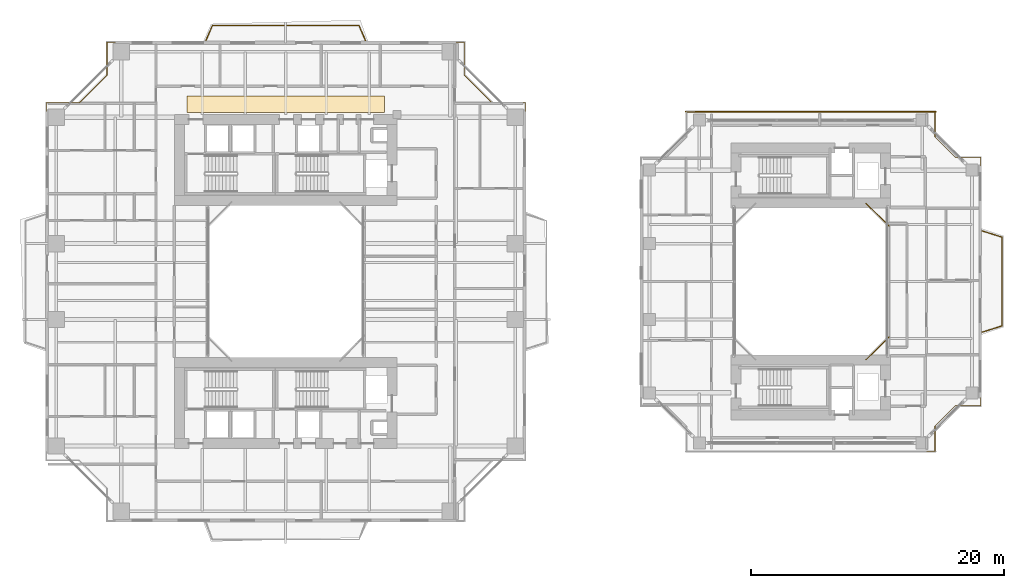
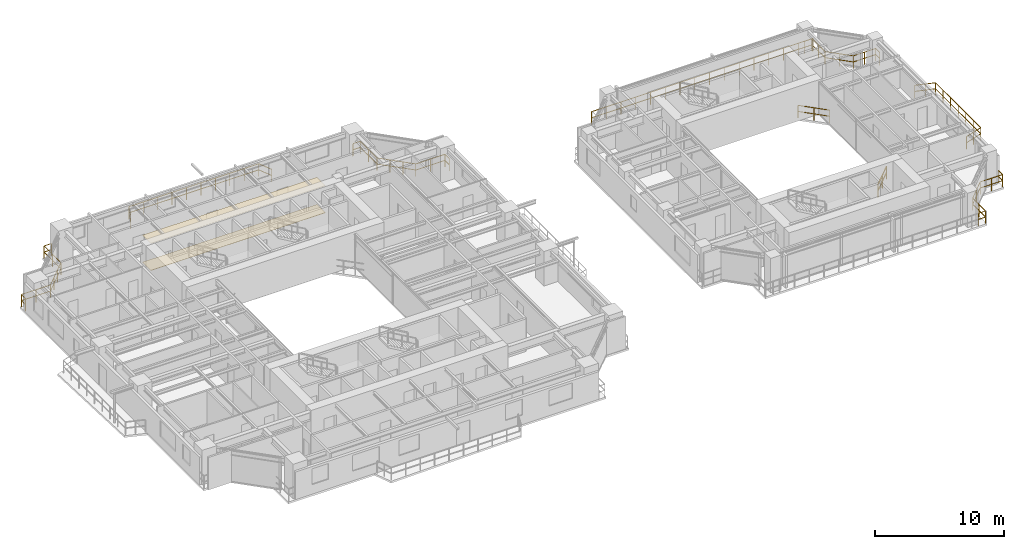
# One storey, part 23 of 23: 9 railings, 2 coverings.
"""IFC4 building model written with IfcOpenShell, lengths in metres."""

import ifcopenshell
import ifcopenshell.guid

model = None  # the IFC model being written
_history = None  # IfcOwnerHistory: only IFC2X3 demands one
_inside = {}  # id of a spatial element -> (the spatial element, [elements in it])
_under = {}  # id of a project, library or spatial element -> (it, [spatial elements below it])
_declared = {}  # id of a project -> (the project, [libraries it declares])
_typed = {}  # id of a type object -> (the type object, [elements of that type])
_made_of = {}  # id of a material, layer set ... -> (it, [elements and type objects made of it])


def new_model(schema):
    """Start an empty IFC model of exactly this schema.

    Asked for "IFC4X3", IfcOpenShell would pick the latest addendum, in which some entities
    have other attributes; the version numbers below select the first issue.
    IFC2X3 requires an IfcOwnerHistory on every rooted entity: one is made here for all.
    """
    global model, _history
    if schema == "IFC4X3":
        model = ifcopenshell.file(schema_version=(4, 3, 0, 0))
    else:
        model = ifcopenshell.file(schema=schema)
    _inside.clear()
    _under.clear()
    _declared.clear()
    _typed.clear()
    _made_of.clear()
    _history = None
    if model.schema == "IFC2X3":
        org = make("IfcOrganization", Name="unknown")
        user = make(
            "IfcPersonAndOrganization",
            ThePerson=make("IfcPerson", FamilyName="unknown"),
            TheOrganization=org,
        )
        app = make(
            "IfcApplication",
            ApplicationDeveloper=org,
            Version="unknown",
            ApplicationFullName="unknown",
            ApplicationIdentifier="unknown",
        )
        _history = make(
            "IfcOwnerHistory",
            OwningUser=user,
            OwningApplication=app,
            ChangeAction="ADDED",
            CreationDate=0,
        )
    return model


def make(cls, **values):
    """One entity of the class cls with the attributes given. An attribute that is None is left unset."""
    return model.create_entity(
        cls, **{name: value for name, value in values.items() if value is not None}
    )


def rooted(cls, **values):
    """An entity with a GlobalId (a new one), such as an element, a storey or a relation."""
    return make(cls, GlobalId=ifcopenshell.guid.new(), OwnerHistory=_history, **values)


def si_unit(unit_type, name, prefix=None):
    """IfcSIUnit, for example si_unit("LENGTHUNIT", "METRE", prefix="MILLI")."""
    return make("IfcSIUnit", UnitType=unit_type, Prefix=prefix, Name=name)


def assignment(units):
    """IfcUnitAssignment: the units of a project."""
    return None if units is None else make("IfcUnitAssignment", Units=units)


def point(xyz):
    """IfcCartesianPoint."""
    return None if xyz is None else make("IfcCartesianPoint", Coordinates=xyz)


def direction(xyz):
    """IfcDirection."""
    return None if xyz is None else make("IfcDirection", DirectionRatios=xyz)


def frame(location, z_axis=None, x_axis=None):
    """IfcAxis2Placement3D, a coordinate frame: its origin and axes. An axis left out is left unset."""
    return make(
        "IfcAxis2Placement3D",
        Location=point(location),
        Axis=direction(z_axis),
        RefDirection=direction(x_axis),
    )


def frame_2d(location, x_axis=None):
    """IfcAxis2Placement2D, a coordinate frame in the plane: its origin and x axis."""
    return make(
        "IfcAxis2Placement2D", Location=point(location), RefDirection=direction(x_axis)
    )


def origin():
    """The frame at (0, 0, 0) with its axes left unset."""
    return frame((0.0, 0.0, 0.0))


def origin_2d():
    """The frame at (0, 0) in the plane with its x axis left unset."""
    return frame_2d((0.0, 0.0))


def place(relative_to, where):
    """IfcLocalPlacement: puts the frame where relative to a parent placement (None: the world)."""
    return make(
        "IfcLocalPlacement", PlacementRelTo=relative_to, RelativePlacement=where
    )


def context(
    kind, dimensions, precision=None, world=None, true_north=None, identifier=None
):
    """IfcGeometricRepresentationContext, for example the 3D "Model" context."""
    return make(
        "IfcGeometricRepresentationContext",
        ContextIdentifier=identifier,
        ContextType=kind,
        CoordinateSpaceDimension=dimensions,
        Precision=precision,
        WorldCoordinateSystem=world,
        TrueNorth=true_north,
    )


def subcontext(parent, identifier, kind, view, scale=None):
    """IfcGeometricRepresentationSubContext, for example "Body" below "Model"."""
    return make(
        "IfcGeometricRepresentationSubContext",
        ContextIdentifier=identifier,
        ContextType=kind,
        ParentContext=parent,
        TargetScale=scale,
        TargetView=view,
    )


def project(units=None, contexts=None):
    """IfcProject with its units and contexts."""
    return rooted(
        "IfcProject",
        Name="project",
        RepresentationContexts=contexts,
        UnitsInContext=assignment(units),
    )


def spatial(cls, under=None, at=None, **own):
    """A site, building, storey or space (cls), placed at a placement, below another one or the project."""
    s = rooted(cls, ObjectPlacement=at, **own)
    if under is not None:
        _under.setdefault(under.id(), (under, []))[1].append(s)
    return s


def polyline(points):
    """IfcPolyline through the points."""
    return make("IfcPolyline", Points=[point(p) for p in points])


def profile(cls, at=None, kind="AREA", **sizes):
    """A parametric profile (cls). Its sizes go by their IFC names, for example OverallWidth=200.0."""
    return make(cls, ProfileType=kind, Position=at, **sizes)


def rectangle(**sizes):
    """IfcRectangleProfileDef."""
    return profile("IfcRectangleProfileDef", **sizes)


def outline(outer, holes=None, kind="AREA"):
    """IfcArbitraryClosedProfileDef: a profile drawn as a closed curve; with holes, ...WithVoids."""
    if holes is None:
        return make("IfcArbitraryClosedProfileDef", ProfileType=kind, OuterCurve=outer)
    return make(
        "IfcArbitraryProfileDefWithVoids",
        ProfileType=kind,
        OuterCurve=outer,
        InnerCurves=holes,
    )


def extrude(swept, where, along, depth):
    """IfcExtrudedAreaSolid: the profile swept, set in the frame where, extruded along a direction by depth."""
    return make(
        "IfcExtrudedAreaSolid",
        SweptArea=swept,
        Position=where,
        ExtrudedDirection=direction(along),
        Depth=depth,
    )


def shape(context_of_items, identifier, shape_type, items):
    """IfcShapeRepresentation: the items that make up one representation, for example the "Body"."""
    return make(
        "IfcShapeRepresentation",
        ContextOfItems=context_of_items,
        RepresentationIdentifier=identifier,
        RepresentationType=shape_type,
        Items=items,
    )


def material(Name=None, Category=None):
    """IfcMaterial."""
    return make("IfcMaterial", Name=Name, Category=Category)


def layer(
    of_material, thickness, ventilated=None, Name=None, Category=None, Priority=None
):
    """IfcMaterialLayer: one layer of a wall or slab, of a material (None: an air gap)."""
    return make(
        "IfcMaterialLayer",
        Material=of_material,
        LayerThickness=thickness,
        IsVentilated=ventilated,
        Name=Name,
        Category=Category,
        Priority=Priority,
    )


def layer_set(layers, Name=None):
    """IfcMaterialLayerSet."""
    return make("IfcMaterialLayerSet", MaterialLayers=layers, LayerSetName=Name)


def made_of(thing, what):
    """Note that an element or type object is made of a material, layer set ...; save() writes the relation."""
    if what is not None:
        _made_of.setdefault(what.id(), (what, []))[1].append(thing)
    return thing


def type_object(cls, material=None, **own):
    """A type object (cls), such as IfcWallType, which elements share."""
    return made_of(rooted(cls, **own), material)


def element(
    cls,
    number,
    at=None,
    inside=None,
    cuts=None,
    type_object=None,
    material=None,
    context=None,
    identifier="Body",
    shape_type=None,
    held_by="IfcProductDefinitionShape",
    body=None,
    shapes=None,
    **own,
):
    """One element of the class cls, such as IfcWall. Its Tag is "e" and its number.

    at: its placement. inside: the storey or other place that contains it. cuts: it is an
    opening in that element (IfcRelVoidsElement). A single representation is given by context,
    identifier, shape_type and body (its items); several are given by shapes. held_by: the class
    of the entity that holds the representations. save() writes the other relations.
    """
    e = rooted(cls, Tag="e%d" % number, ObjectPlacement=at, **own)
    if body is not None:
        shapes = [shape(context, identifier, shape_type, body)]
    if shapes is not None:
        e.Representation = make(held_by, Representations=shapes)
    if inside is not None:
        _inside.setdefault(inside.id(), (inside, []))[1].append(e)
    if cuts is not None:
        rooted(
            "IfcRelVoidsElement", RelatingBuildingElement=cuts, RelatedOpeningElement=e
        )
    if type_object is not None:
        _typed.setdefault(type_object.id(), (type_object, []))[1].append(e)
    return made_of(e, material)


def aggregate(whole, parts):
    """IfcRelAggregates: a whole, such as a stair, and the parts it consists of."""
    return rooted("IfcRelAggregates", RelatingObject=whole, RelatedObjects=parts)


def save(model, path):
    """Write the relations noted so far, then the file.

    IfcRelAggregates (storeys below a building ...), IfcRelContainedInSpatialStructure (elements
    in a storey), IfcRelDefinesByType, IfcRelAssociatesMaterial and IfcRelDeclares: one each for
    every whole, place, type object, material and project.
    """
    for whole, parts in _under.values():
        aggregate(whole, parts)
    for where, things in _inside.values():
        rooted(
            "IfcRelContainedInSpatialStructure",
            RelatedElements=things,
            RelatingStructure=where,
        )
    for kind, things in _typed.values():
        rooted("IfcRelDefinesByType", RelatedObjects=things, RelatingType=kind)
    for what, things in _made_of.values():
        rooted("IfcRelAssociatesMaterial", RelatedObjects=things, RelatingMaterial=what)
    for by, libraries in _declared.values():
        rooted("IfcRelDeclares", RelatingContext=by, RelatedDefinitions=libraries)
    model.write(path)


model = new_model("IFC4")

# Units and contexts
model_context = context("Model", 3, precision=1e-05, world=origin(), true_north=direction((0.0, 1.0)))
body_context = subcontext(model_context, "Body", "Model", "MODEL_VIEW")
ifc_project = project(units=[si_unit("LENGTHUNIT", "METRE"), si_unit("AREAUNIT", "SQUARE_METRE"), si_unit("VOLUMEUNIT", "CUBIC_METRE"), si_unit("PLANEANGLEUNIT", "RADIAN"), si_unit("MASSUNIT", "GRAM", prefix="KILO"), si_unit("THERMODYNAMICTEMPERATUREUNIT", "KELVIN"), si_unit("POWERUNIT", "WATT")], contexts=[model_context])

# Site, building, storey
site_placement = place(None, origin())
site = spatial("IfcSite", under=ifc_project, at=site_placement, CompositionType="ELEMENT")
building_placement = place(site_placement, origin())
building = spatial("IfcBuilding", under=site, at=building_placement, Name="Qiaomeng Ring Towers", CompositionType="ELEMENT")
storey_placement = place(building_placement, frame((0.0, 0.0, 60.0)))
storey = spatial("IfcBuildingStorey", under=building, at=storey_placement, Name="L16", CompositionType="ELEMENT", Elevation=60.0)

# Coverings
ifc_material_1 = material(Name="Mineral fibre acoustic ceiling tile", Category="gypsum")
ifc_layer_1 = layer(ifc_material_1, 0.02490234375, Name="Mineral fibre acoustic ceiling tile")
ifc_layer_set_1 = layer_set([ifc_layer_1], Name="Mineral fibre acoustic ceiling tile")
covering_type_1 = type_object("IfcCoveringType", Name="ARC-COV-CEIL1", PredefinedType="CEILING", material=ifc_layer_set_1)
covering_1_placement = place(storey_placement, frame((0.0, 0.0, 2.550048828125)))
element("IfcCovering", 1, at=covering_1_placement, inside=storey, type_object=covering_type_1, Name="L16 Corridor Acoustic Ceiling", PredefinedType="CEILING", context=body_context, shape_type="SweptSolid", body=[
    extrude(outline(polyline([(11.199951171875, 36.35009765625), (11.199951171875, 37.64990234375), (26.800048828125, 37.64990234375), (26.800048828125, 36.35009765625), (11.199951171875, 36.35009765625)])), origin(), (0.0, 0.0, 1.0), 0.02490234375),
])
ifc_material_2 = material(Name="Vitrified porcelain floor tile", Category="ceramic")
ifc_layer_2 = layer(ifc_material_2, 0.02001953125, Name="Vitrified porcelain floor tile")
ifc_layer_set_2 = layer_set([ifc_layer_2], Name="Vitrified porcelain floor tile")
covering_type_2 = type_object("IfcCoveringType", Name="ARC-COV-FLR1", PredefinedType="FLOORING", material=ifc_layer_set_2)
covering_2_placement = place(storey_placement, origin())
element("IfcCovering", 2, at=covering_2_placement, inside=storey, type_object=covering_type_2, Name="L16 Corridor Stone Flooring", PredefinedType="FLOORING", context=body_context, shape_type="SweptSolid", body=[
    extrude(outline(polyline([(11.199951171875, 36.35009765625), (11.199951171875, 37.64990234375), (26.800048828125, 37.64990234375), (26.800048828125, 36.35009765625), (11.199951171875, 36.35009765625)])), origin(), (0.0, 0.0, 1.0), 0.02001953125),
])

# Railings
ifc_material_3 = material(Name="Low-E pale-green laminated safety glass", Category="glass")
railing_type = type_object("IfcRailingType", Name="ARC-RL-BAL1", PredefinedType="BALUSTRADE", material=ifc_material_3)
railing_1_placement = place(storey_placement, frame((37.919921875, 36.469970703125, 0.0)))
element("IfcRailing", 3, at=railing_1_placement, inside=storey, type_object=railing_type, Name="L16 Balustrade ARC-BAL-NOTCH1-L16-NE", PredefinedType="BALUSTRADE", context=body_context, shape_type="SweptSolid", body=[
    extrude(rectangle(XDim=0.048095703125, YDim=0.048095703125, at=origin_2d()), frame((0.0, 0.0, 1.17578125), z_axis=(0.0, 1.0, 0.0), x_axis=(-1.0, 0.0, 0.0)), (0.0, 0.0, 1.0), 0.650146484375),
    extrude(rectangle(XDim=0.048095703125, YDim=0.048095703125, at=origin_2d()), frame((0.0, 0.0, 0.60009765625), z_axis=(0.0, 1.0, 0.0), x_axis=(-1.0, 0.0, 0.0)), (0.0, 0.0, 1.0), 0.650146484375),
    extrude(rectangle(XDim=0.048095703125, YDim=0.048095703125, at=origin_2d()), frame((0.0, 0.650146484375, 1.17578125), z_axis=(-1.0, 0.0, 0.0), x_axis=(0.0, -1.0, 0.0)), (0.0, 0.0, 1.0), 2.599853515625),
    extrude(rectangle(XDim=0.048095703125, YDim=0.048095703125, at=origin_2d()), frame((0.0, 0.650146484375, 0.60009765625), z_axis=(-1.0, 0.0, 0.0), x_axis=(0.0, -1.0, 0.0)), (0.0, 0.0, 1.0), 2.599853515625),
    extrude(rectangle(XDim=0.048095703125, YDim=0.048095703125, at=origin_2d()), frame((-2.599853515625, 0.650146484375, 1.17578125), z_axis=(-0.707106781187, 0.707106781187, 0.0), x_axis=(-0.707106781187, -0.707106781187, 0.0)), (0.0, 0.0, 1.0), 3.111083984375),
    extrude(rectangle(XDim=0.048095703125, YDim=0.048095703125, at=origin_2d()), frame((-2.599853515625, 0.650146484375, 0.60009765625), z_axis=(-0.707106781187, 0.707106781187, 0.0), x_axis=(-0.707106781187, -0.707106781187, 0.0)), (0.0, 0.0, 1.0), 3.111083984375),
    extrude(rectangle(XDim=0.048095703125, YDim=0.048095703125, at=origin_2d()), frame((-4.7998046875, 2.85009765625, 1.17578125), z_axis=(0.0, 1.0, 0.0), x_axis=(-1.0, 0.0, 0.0)), (0.0, 0.0, 1.0), 2.599853515625),
    extrude(rectangle(XDim=0.048095703125, YDim=0.048095703125, at=origin_2d()), frame((-4.7998046875, 2.85009765625, 0.60009765625), z_axis=(0.0, 1.0, 0.0), x_axis=(-1.0, 0.0, 0.0)), (0.0, 0.0, 1.0), 2.599853515625),
    extrude(rectangle(XDim=0.048095703125, YDim=0.048095703125, at=origin_2d()), frame((-4.7998046875, 5.449951171875, 1.17578125), z_axis=(-1.0, 0.0, 0.0), x_axis=(0.0, -1.0, 0.0)), (0.0, 0.0, 1.0), 0.650146484375),
    extrude(rectangle(XDim=0.048095703125, YDim=0.048095703125, at=origin_2d()), frame((-4.7998046875, 5.449951171875, 0.60009765625), z_axis=(-1.0, 0.0, 0.0), x_axis=(0.0, -1.0, 0.0)), (0.0, 0.0, 1.0), 0.650146484375),
    extrude(rectangle(XDim=0.0419921875, YDim=0.0419921875, at=origin_2d()), origin(), (0.0, 0.0, 1.0), 1.15185546875),
    extrude(rectangle(XDim=0.0419921875, YDim=0.0419921875, at=origin_2d()), frame((0.0, 0.650146484375, 0.0)), (0.0, 0.0, 1.0), 1.15185546875),
    extrude(rectangle(XDim=0.0419921875, YDim=0.0419921875, at=origin_2d()), frame((-1.2998046875, 0.650146484375, 0.0)), (0.0, 0.0, 1.0), 1.15185546875),
    extrude(rectangle(XDim=0.0419921875, YDim=0.0419921875, at=origin_2d()), frame((-2.599853515625, 0.650146484375, 0.0)), (0.0, 0.0, 1.0), 1.15185546875),
    extrude(rectangle(XDim=0.0419921875, YDim=0.0419921875, at=origin_2d()), frame((-3.333251953125, 1.383544921875, 0.0)), (0.0, 0.0, 1.0), 1.15185546875),
    extrude(rectangle(XDim=0.0419921875, YDim=0.0419921875, at=origin_2d()), frame((-4.06640625, 2.11669921875, 0.0)), (0.0, 0.0, 1.0), 1.15185546875),
    extrude(rectangle(XDim=0.0419921875, YDim=0.0419921875, at=origin_2d()), frame((-4.7998046875, 2.85009765625, 0.0)), (0.0, 0.0, 1.0), 1.15185546875),
    extrude(rectangle(XDim=0.0419921875, YDim=0.0419921875, at=origin_2d()), frame((-4.7998046875, 4.14990234375, 0.0)), (0.0, 0.0, 1.0), 1.15185546875),
    extrude(rectangle(XDim=0.0419921875, YDim=0.0419921875, at=origin_2d()), frame((-4.7998046875, 5.449951171875, 0.0)), (0.0, 0.0, 1.0), 1.15185546875),
    extrude(rectangle(XDim=0.0419921875, YDim=0.0419921875, at=origin_2d()), frame((-5.449951171875, 5.449951171875, 0.0)), (0.0, 0.0, 1.0), 1.15185546875),
])
railing_2_placement = place(storey_placement, frame((5.530029296875, 41.919921875, 0.0)))
element("IfcRailing", 4, at=railing_2_placement, inside=storey, type_object=railing_type, Name="L16 Balustrade ARC-BAL-NOTCH1-L16-NW", PredefinedType="BALUSTRADE", context=body_context, shape_type="SweptSolid", body=[
    extrude(rectangle(XDim=0.048095703125, YDim=0.048095703125, at=origin_2d()), frame((0.0, 0.0, 1.17578125), z_axis=(-1.0, 0.0, 0.0), x_axis=(0.0, -1.0, 0.0)), (0.0, 0.0, 1.0), 0.650146484375),
    extrude(rectangle(XDim=0.048095703125, YDim=0.048095703125, at=origin_2d()), frame((0.0, 0.0, 0.60009765625), z_axis=(-1.0, 0.0, 0.0), x_axis=(0.0, -1.0, 0.0)), (0.0, 0.0, 1.0), 0.650146484375),
    extrude(rectangle(XDim=0.048095703125, YDim=0.048095703125, at=origin_2d()), frame((-0.650146484375, 0.0, 1.17578125), z_axis=(0.0, -1.0, 0.0), x_axis=(1.0, 0.0, 0.0)), (0.0, 0.0, 1.0), 2.599853515625),
    extrude(rectangle(XDim=0.048095703125, YDim=0.048095703125, at=origin_2d()), frame((-0.650146484375, 0.0, 0.60009765625), z_axis=(0.0, -1.0, 0.0), x_axis=(1.0, 0.0, 0.0)), (0.0, 0.0, 1.0), 2.599853515625),
    extrude(rectangle(XDim=0.048095703125, YDim=0.048095703125, at=origin_2d()), frame((-0.650146484375, -2.599853515625, 1.17578125), z_axis=(-0.707106781187, -0.707106781187, 0.0), x_axis=(0.707106781187, -0.707106781187, 0.0)), (0.0, 0.0, 1.0), 3.111083984375),
    extrude(rectangle(XDim=0.048095703125, YDim=0.048095703125, at=origin_2d()), frame((-0.650146484375, -2.599853515625, 0.60009765625), z_axis=(-0.707106781187, -0.707106781187, 0.0), x_axis=(0.707106781187, -0.707106781187, 0.0)), (0.0, 0.0, 1.0), 3.111083984375),
    extrude(rectangle(XDim=0.048095703125, YDim=0.048095703125, at=origin_2d()), frame((-2.85009765625, -4.7998046875, 1.17578125), z_axis=(-1.0, 0.0, 0.0), x_axis=(0.0, -1.0, 0.0)), (0.0, 0.0, 1.0), 2.599853515625),
    extrude(rectangle(XDim=0.048095703125, YDim=0.048095703125, at=origin_2d()), frame((-2.85009765625, -4.7998046875, 0.60009765625), z_axis=(-1.0, 0.0, 0.0), x_axis=(0.0, -1.0, 0.0)), (0.0, 0.0, 1.0), 2.599853515625),
    extrude(rectangle(XDim=0.048095703125, YDim=0.048095703125, at=origin_2d()), frame((-5.449951171875, -4.7998046875, 1.17578125), z_axis=(0.0, -1.0, 0.0), x_axis=(1.0, 0.0, 0.0)), (0.0, 0.0, 1.0), 0.650146484375),
    extrude(rectangle(XDim=0.048095703125, YDim=0.048095703125, at=origin_2d()), frame((-5.449951171875, -4.7998046875, 0.60009765625), z_axis=(0.0, -1.0, 0.0), x_axis=(1.0, 0.0, 0.0)), (0.0, 0.0, 1.0), 0.650146484375),
    extrude(rectangle(XDim=0.0419921875, YDim=0.0419921875, at=origin_2d()), origin(), (0.0, 0.0, 1.0), 1.15185546875),
    extrude(rectangle(XDim=0.0419921875, YDim=0.0419921875, at=origin_2d()), frame((-0.650146484375, 0.0, 0.0)), (0.0, 0.0, 1.0), 1.15185546875),
    extrude(rectangle(XDim=0.0419921875, YDim=0.0419921875, at=origin_2d()), frame((-0.650146484375, -1.2998046875, 0.0)), (0.0, 0.0, 1.0), 1.15185546875),
    extrude(rectangle(XDim=0.0419921875, YDim=0.0419921875, at=origin_2d()), frame((-0.650146484375, -2.599853515625, 0.0)), (0.0, 0.0, 1.0), 1.15185546875),
    extrude(rectangle(XDim=0.0419921875, YDim=0.0419921875, at=origin_2d()), frame((-1.383544921875, -3.333251953125, 0.0)), (0.0, 0.0, 1.0), 1.15185546875),
    extrude(rectangle(XDim=0.0419921875, YDim=0.0419921875, at=origin_2d()), frame((-2.11669921875, -4.06640625, 0.0)), (0.0, 0.0, 1.0), 1.15185546875),
    extrude(rectangle(XDim=0.0419921875, YDim=0.0419921875, at=origin_2d()), frame((-2.85009765625, -4.7998046875, 0.0)), (0.0, 0.0, 1.0), 1.15185546875),
    extrude(rectangle(XDim=0.0419921875, YDim=0.0419921875, at=origin_2d()), frame((-4.14990234375, -4.7998046875, 0.0)), (0.0, 0.0, 1.0), 1.15185546875),
    extrude(rectangle(XDim=0.0419921875, YDim=0.0419921875, at=origin_2d()), frame((-5.449951171875, -4.7998046875, 0.0)), (0.0, 0.0, 1.0), 1.15185546875),
    extrude(rectangle(XDim=0.0419921875, YDim=0.0419921875, at=origin_2d()), frame((-5.449951171875, -5.449951171875, 0.0)), (0.0, 0.0, 1.0), 1.15185546875),
])
railing_3_placement = place(storey_placement, frame((12.699951171875, 42.050048828125, 0.0)))
element("IfcRailing", 5, at=railing_3_placement, inside=storey, type_object=railing_type, Name="L16 Balustrade ARC-BAL-L16-T1-N", PredefinedType="BALUSTRADE", context=body_context, shape_type="SweptSolid", body=[
    extrude(rectangle(XDim=0.048095703125, YDim=0.048095703125, at=origin_2d()), frame((0.0, 0.0, 1.17578125), z_axis=(0.39299272826, 0.919541579014, 0.0), x_axis=(-0.919541579014, 0.39299272826, 0.0)), (0.0, 0.0, 1.0), 1.272216796875),
    extrude(rectangle(XDim=0.048095703125, YDim=0.048095703125, at=origin_2d()), frame((0.0, 0.0, 0.60009765625), z_axis=(0.39299272826, 0.919541579014, 0.0), x_axis=(-0.919541579014, 0.39299272826, 0.0)), (0.0, 0.0, 1.0), 1.272216796875),
    extrude(rectangle(XDim=0.048095703125, YDim=0.048095703125, at=origin_2d()), frame((0.5, 1.169921875, 1.17578125), z_axis=(1.0, 0.0, 0.0), x_axis=(0.0, 1.0, 0.0)), (0.0, 0.0, 1.0), 11.60009765625),
    extrude(rectangle(XDim=0.048095703125, YDim=0.048095703125, at=origin_2d()), frame((0.5, 1.169921875, 0.60009765625), z_axis=(1.0, 0.0, 0.0), x_axis=(0.0, 1.0, 0.0)), (0.0, 0.0, 1.0), 11.60009765625),
    extrude(rectangle(XDim=0.048095703125, YDim=0.048095703125, at=origin_2d()), frame((12.10009765625, 1.169921875, 1.17578125), z_axis=(0.39299272826, -0.919541579014, 0.0), x_axis=(0.919541579014, 0.39299272826, 0.0)), (0.0, 0.0, 1.0), 1.272216796875),
    extrude(rectangle(XDim=0.048095703125, YDim=0.048095703125, at=origin_2d()), frame((12.10009765625, 1.169921875, 0.60009765625), z_axis=(0.39299272826, -0.919541579014, 0.0), x_axis=(0.919541579014, 0.39299272826, 0.0)), (0.0, 0.0, 1.0), 1.272216796875),
    extrude(rectangle(XDim=0.0419921875, YDim=0.0419921875, at=origin_2d()), origin(), (0.0, 0.0, 1.0), 1.15185546875),
    extrude(rectangle(XDim=0.0419921875, YDim=0.0419921875, at=origin_2d()), frame((0.5, 1.169921875, 0.0)), (0.0, 0.0, 1.0), 1.15185546875),
    extrude(rectangle(XDim=0.0419921875, YDim=0.0419921875, at=origin_2d()), frame((1.788818359375, 1.169921875, 0.0)), (0.0, 0.0, 1.0), 1.15185546875),
    extrude(rectangle(XDim=0.0419921875, YDim=0.0419921875, at=origin_2d()), frame((3.077880859375, 1.169921875, 0.0)), (0.0, 0.0, 1.0), 1.15185546875),
    extrude(rectangle(XDim=0.0419921875, YDim=0.0419921875, at=origin_2d()), frame((4.36669921875, 1.169921875, 0.0)), (0.0, 0.0, 1.0), 1.15185546875),
    extrude(rectangle(XDim=0.0419921875, YDim=0.0419921875, at=origin_2d()), frame((5.655517578125, 1.169921875, 0.0)), (0.0, 0.0, 1.0), 1.15185546875),
    extrude(rectangle(XDim=0.0419921875, YDim=0.0419921875, at=origin_2d()), frame((6.944580078125, 1.169921875, 0.0)), (0.0, 0.0, 1.0), 1.15185546875),
    extrude(rectangle(XDim=0.0419921875, YDim=0.0419921875, at=origin_2d()), frame((8.2333984375, 1.169921875, 0.0)), (0.0, 0.0, 1.0), 1.15185546875),
    extrude(rectangle(XDim=0.0419921875, YDim=0.0419921875, at=origin_2d()), frame((9.522216796875, 1.169921875, 0.0)), (0.0, 0.0, 1.0), 1.15185546875),
    extrude(rectangle(XDim=0.0419921875, YDim=0.0419921875, at=origin_2d()), frame((10.811279296875, 1.169921875, 0.0)), (0.0, 0.0, 1.0), 1.15185546875),
    extrude(rectangle(XDim=0.0419921875, YDim=0.0419921875, at=origin_2d()), frame((12.10009765625, 1.169921875, 0.0)), (0.0, 0.0, 1.0), 1.15185546875),
    extrude(rectangle(XDim=0.0419921875, YDim=0.0419921875, at=origin_2d()), frame((12.60009765625, 0.0, 0.0)), (0.0, 0.0, 1.0), 1.15185546875),
])
railing_4_placement = place(storey_placement, frame((64.8798828125, 16.820068359375, 0.0)))
element("IfcRailing", 6, at=railing_4_placement, inside=storey, type_object=railing_type, Name="L16 Balustrade ARC-BAL-WELL2-L16-1", PredefinedType="BALUSTRADE", context=body_context, shape_type="SweptSolid", body=[
    extrude(rectangle(XDim=0.048095703125, YDim=0.048095703125, at=origin_2d()), frame((0.0, 0.0, 1.17578125), z_axis=(0.707106781187, 0.707106781187, 0.0), x_axis=(-0.707106781187, 0.707106781187, 0.0)), (0.0, 0.0, 1.0), 2.545654296875),
    extrude(rectangle(XDim=0.048095703125, YDim=0.048095703125, at=origin_2d()), frame((0.0, 0.0, 0.60009765625), z_axis=(0.707106781187, 0.707106781187, 0.0), x_axis=(-0.707106781187, 0.707106781187, 0.0)), (0.0, 0.0, 1.0), 2.545654296875),
    extrude(rectangle(XDim=0.0419921875, YDim=0.0419921875, at=origin_2d()), origin(), (0.0, 0.0, 1.0), 1.15185546875),
    extrude(rectangle(XDim=0.0419921875, YDim=0.0419921875, at=origin_2d()), frame((0.89990234375, 0.89990234375, 0.0)), (0.0, 0.0, 1.0), 1.15185546875),
    extrude(rectangle(XDim=0.0419921875, YDim=0.0419921875, at=origin_2d()), frame((1.800048828125, 1.800048828125, 0.0)), (0.0, 0.0, 1.0), 1.15185546875),
])
railing_5_placement = place(storey_placement, frame((66.679931640625, 27.3798828125, 0.0)))
element("IfcRailing", 7, at=railing_5_placement, inside=storey, type_object=railing_type, Name="L16 Balustrade ARC-BAL-WELL2-L16-2", PredefinedType="BALUSTRADE", context=body_context, shape_type="SweptSolid", body=[
    extrude(rectangle(XDim=0.048095703125, YDim=0.048095703125, at=origin_2d()), frame((0.0, 0.0, 1.17578125), z_axis=(-0.707106781187, 0.707106781187, 0.0), x_axis=(-0.707106781187, -0.707106781187, 0.0)), (0.0, 0.0, 1.0), 2.545654296875),
    extrude(rectangle(XDim=0.048095703125, YDim=0.048095703125, at=origin_2d()), frame((0.0, 0.0, 0.60009765625), z_axis=(-0.707106781187, 0.707106781187, 0.0), x_axis=(-0.707106781187, -0.707106781187, 0.0)), (0.0, 0.0, 1.0), 2.545654296875),
    extrude(rectangle(XDim=0.0419921875, YDim=0.0419921875, at=origin_2d()), origin(), (0.0, 0.0, 1.0), 1.15185546875),
    extrude(rectangle(XDim=0.0419921875, YDim=0.0419921875, at=origin_2d()), frame((-0.89990234375, 0.89990234375, 0.0)), (0.0, 0.0, 1.0), 1.15185546875),
    extrude(rectangle(XDim=0.0419921875, YDim=0.0419921875, at=origin_2d()), frame((-1.800048828125, 1.800048828125, 0.0)), (0.0, 0.0, 1.0), 1.15185546875),
])
railing_6_placement = place(storey_placement, frame((69.669921875, 9.580078125, 0.0)))
element("IfcRailing", 8, at=railing_6_placement, inside=storey, type_object=railing_type, Name="L16 Balustrade ARC-BAL-NOTCH2-L16-SE", PredefinedType="BALUSTRADE", context=body_context, shape_type="SweptSolid", body=[
    extrude(rectangle(XDim=0.048095703125, YDim=0.048095703125, at=origin_2d()), frame((0.0, 0.0, 1.17578125), z_axis=(1.0, 0.0, 0.0), x_axis=(0.0, 1.0, 0.0)), (0.0, 0.0, 1.0), 0.650146484375),
    extrude(rectangle(XDim=0.048095703125, YDim=0.048095703125, at=origin_2d()), frame((0.0, 0.0, 0.60009765625), z_axis=(1.0, 0.0, 0.0), x_axis=(0.0, 1.0, 0.0)), (0.0, 0.0, 1.0), 0.650146484375),
    extrude(rectangle(XDim=0.048095703125, YDim=0.048095703125, at=origin_2d()), frame((0.650146484375, 0.0, 1.17578125), z_axis=(0.0, 1.0, 0.0), x_axis=(-1.0, 0.0, 0.0)), (0.0, 0.0, 1.0), 2.0),
    extrude(rectangle(XDim=0.048095703125, YDim=0.048095703125, at=origin_2d()), frame((0.650146484375, 0.0, 0.60009765625), z_axis=(0.0, 1.0, 0.0), x_axis=(-1.0, 0.0, 0.0)), (0.0, 0.0, 1.0), 2.0),
    extrude(rectangle(XDim=0.048095703125, YDim=0.048095703125, at=origin_2d()), frame((0.650146484375, 2.0, 1.17578125), z_axis=(0.707106781187, 0.707106781187, 0.0), x_axis=(-0.707106781187, 0.707106781187, 0.0)), (0.0, 0.0, 1.0), 2.262451171875),
    extrude(rectangle(XDim=0.048095703125, YDim=0.048095703125, at=origin_2d()), frame((0.650146484375, 2.0, 0.60009765625), z_axis=(0.707106781187, 0.707106781187, 0.0), x_axis=(-0.707106781187, 0.707106781187, 0.0)), (0.0, 0.0, 1.0), 2.262451171875),
    extrude(rectangle(XDim=0.048095703125, YDim=0.048095703125, at=origin_2d()), frame((2.25, 3.599853515625, 1.17578125), z_axis=(1.0, 0.0, 0.0), x_axis=(0.0, 1.0, 0.0)), (0.0, 0.0, 1.0), 2.0),
    extrude(rectangle(XDim=0.048095703125, YDim=0.048095703125, at=origin_2d()), frame((2.25, 3.599853515625, 0.60009765625), z_axis=(1.0, 0.0, 0.0), x_axis=(0.0, 1.0, 0.0)), (0.0, 0.0, 1.0), 2.0),
    extrude(rectangle(XDim=0.048095703125, YDim=0.048095703125, at=origin_2d()), frame((4.25, 3.599853515625, 1.17578125), z_axis=(0.0, 1.0, 0.0), x_axis=(-1.0, 0.0, 0.0)), (0.0, 0.0, 1.0), 0.650146484375),
    extrude(rectangle(XDim=0.048095703125, YDim=0.048095703125, at=origin_2d()), frame((4.25, 3.599853515625, 0.60009765625), z_axis=(0.0, 1.0, 0.0), x_axis=(-1.0, 0.0, 0.0)), (0.0, 0.0, 1.0), 0.650146484375),
    extrude(rectangle(XDim=0.0419921875, YDim=0.0419921875, at=origin_2d()), origin(), (0.0, 0.0, 1.0), 1.15185546875),
    extrude(rectangle(XDim=0.0419921875, YDim=0.0419921875, at=origin_2d()), frame((0.650146484375, 0.0, 0.0)), (0.0, 0.0, 1.0), 1.15185546875),
    extrude(rectangle(XDim=0.0419921875, YDim=0.0419921875, at=origin_2d()), frame((0.650146484375, 1.0, 0.0)), (0.0, 0.0, 1.0), 1.15185546875),
    extrude(rectangle(XDim=0.0419921875, YDim=0.0419921875, at=origin_2d()), frame((0.650146484375, 2.0, 0.0)), (0.0, 0.0, 1.0), 1.15185546875),
    extrude(rectangle(XDim=0.0419921875, YDim=0.0419921875, at=origin_2d()), frame((1.4501953125, 2.7998046875, 0.0)), (0.0, 0.0, 1.0), 1.15185546875),
    extrude(rectangle(XDim=0.0419921875, YDim=0.0419921875, at=origin_2d()), frame((2.25, 3.599853515625, 0.0)), (0.0, 0.0, 1.0), 1.15185546875),
    extrude(rectangle(XDim=0.0419921875, YDim=0.0419921875, at=origin_2d()), frame((3.25, 3.599853515625, 0.0)), (0.0, 0.0, 1.0), 1.15185546875),
    extrude(rectangle(XDim=0.0419921875, YDim=0.0419921875, at=origin_2d()), frame((4.25, 3.599853515625, 0.0)), (0.0, 0.0, 1.0), 1.15185546875),
    extrude(rectangle(XDim=0.0419921875, YDim=0.0419921875, at=origin_2d()), frame((4.25, 4.25, 0.0)), (0.0, 0.0, 1.0), 1.15185546875),
])
railing_7_placement = place(storey_placement, frame((73.919921875, 32.169921875, 0.0)))
element("IfcRailing", 9, at=railing_7_placement, inside=storey, type_object=railing_type, Name="L16 Balustrade ARC-BAL-NOTCH2-L16-NE", PredefinedType="BALUSTRADE", context=body_context, shape_type="SweptSolid", body=[
    extrude(rectangle(XDim=0.048095703125, YDim=0.048095703125, at=origin_2d()), frame((0.0, 0.0, 1.17578125), z_axis=(0.0, 1.0, 0.0), x_axis=(-1.0, 0.0, 0.0)), (0.0, 0.0, 1.0), 0.650146484375),
    extrude(rectangle(XDim=0.048095703125, YDim=0.048095703125, at=origin_2d()), frame((0.0, 0.0, 0.60009765625), z_axis=(0.0, 1.0, 0.0), x_axis=(-1.0, 0.0, 0.0)), (0.0, 0.0, 1.0), 0.650146484375),
    extrude(rectangle(XDim=0.048095703125, YDim=0.048095703125, at=origin_2d()), frame((0.0, 0.650146484375, 1.17578125), z_axis=(-1.0, 0.0, 0.0), x_axis=(0.0, -1.0, 0.0)), (0.0, 0.0, 1.0), 2.0),
    extrude(rectangle(XDim=0.048095703125, YDim=0.048095703125, at=origin_2d()), frame((0.0, 0.650146484375, 0.60009765625), z_axis=(-1.0, 0.0, 0.0), x_axis=(0.0, -1.0, 0.0)), (0.0, 0.0, 1.0), 2.0),
    extrude(rectangle(XDim=0.048095703125, YDim=0.048095703125, at=origin_2d()), frame((-2.0, 0.650146484375, 1.17578125), z_axis=(-0.707106781187, 0.707106781187, 0.0), x_axis=(-0.707106781187, -0.707106781187, 0.0)), (0.0, 0.0, 1.0), 2.262451171875),
    extrude(rectangle(XDim=0.048095703125, YDim=0.048095703125, at=origin_2d()), frame((-2.0, 0.650146484375, 0.60009765625), z_axis=(-0.707106781187, 0.707106781187, 0.0), x_axis=(-0.707106781187, -0.707106781187, 0.0)), (0.0, 0.0, 1.0), 2.262451171875),
    extrude(rectangle(XDim=0.048095703125, YDim=0.048095703125, at=origin_2d()), frame((-3.599853515625, 2.25, 1.17578125), z_axis=(0.0, 1.0, 0.0), x_axis=(-1.0, 0.0, 0.0)), (0.0, 0.0, 1.0), 2.0),
    extrude(rectangle(XDim=0.048095703125, YDim=0.048095703125, at=origin_2d()), frame((-3.599853515625, 2.25, 0.60009765625), z_axis=(0.0, 1.0, 0.0), x_axis=(-1.0, 0.0, 0.0)), (0.0, 0.0, 1.0), 2.0),
    extrude(rectangle(XDim=0.048095703125, YDim=0.048095703125, at=origin_2d()), frame((-3.599853515625, 4.25, 1.17578125), z_axis=(-1.0, 0.0, 0.0), x_axis=(0.0, -1.0, 0.0)), (0.0, 0.0, 1.0), 0.650146484375),
    extrude(rectangle(XDim=0.048095703125, YDim=0.048095703125, at=origin_2d()), frame((-3.599853515625, 4.25, 0.60009765625), z_axis=(-1.0, 0.0, 0.0), x_axis=(0.0, -1.0, 0.0)), (0.0, 0.0, 1.0), 0.650146484375),
    extrude(rectangle(XDim=0.0419921875, YDim=0.0419921875, at=origin_2d()), origin(), (0.0, 0.0, 1.0), 1.15185546875),
    extrude(rectangle(XDim=0.0419921875, YDim=0.0419921875, at=origin_2d()), frame((0.0, 0.650146484375, 0.0)), (0.0, 0.0, 1.0), 1.15185546875),
    extrude(rectangle(XDim=0.0419921875, YDim=0.0419921875, at=origin_2d()), frame((-1.0, 0.650146484375, 0.0)), (0.0, 0.0, 1.0), 1.15185546875),
    extrude(rectangle(XDim=0.0419921875, YDim=0.0419921875, at=origin_2d()), frame((-2.0, 0.650146484375, 0.0)), (0.0, 0.0, 1.0), 1.15185546875),
    extrude(rectangle(XDim=0.0419921875, YDim=0.0419921875, at=origin_2d()), frame((-2.7998046875, 1.4501953125, 0.0)), (0.0, 0.0, 1.0), 1.15185546875),
    extrude(rectangle(XDim=0.0419921875, YDim=0.0419921875, at=origin_2d()), frame((-3.599853515625, 2.25, 0.0)), (0.0, 0.0, 1.0), 1.15185546875),
    extrude(rectangle(XDim=0.0419921875, YDim=0.0419921875, at=origin_2d()), frame((-3.599853515625, 3.25, 0.0)), (0.0, 0.0, 1.0), 1.15185546875),
    extrude(rectangle(XDim=0.0419921875, YDim=0.0419921875, at=origin_2d()), frame((-3.599853515625, 4.25, 0.0)), (0.0, 0.0, 1.0), 1.15185546875),
    extrude(rectangle(XDim=0.0419921875, YDim=0.0419921875, at=origin_2d()), frame((-4.25, 4.25, 0.0)), (0.0, 0.0, 1.0), 1.15185546875),
])
railing_8_placement = place(storey_placement, frame((50.60009765625, 36.419921875, 0.0)))
element("IfcRailing", 10, at=railing_8_placement, inside=storey, type_object=railing_type, Name="L16 Balustrade ARC-BAL-T2N-L16", PredefinedType="BALUSTRADE", context=body_context, shape_type="SweptSolid", body=[
    extrude(rectangle(XDim=0.048095703125, YDim=0.048095703125, at=origin_2d()), frame((0.0, 0.0, 1.17578125), z_axis=(1.0, 0.0, 0.0), x_axis=(0.0, 1.0, 0.0)), (0.0, 0.0, 1.0), 19.7998046875),
    extrude(rectangle(XDim=0.048095703125, YDim=0.048095703125, at=origin_2d()), frame((0.0, 0.0, 0.60009765625), z_axis=(1.0, 0.0, 0.0), x_axis=(0.0, 1.0, 0.0)), (0.0, 0.0, 1.0), 19.7998046875),
    extrude(rectangle(XDim=0.0419921875, YDim=0.0419921875, at=origin_2d()), origin(), (0.0, 0.0, 1.0), 1.15185546875),
    extrude(rectangle(XDim=0.0419921875, YDim=0.0419921875, at=origin_2d()), frame((1.320068359375, 0.0, 0.0)), (0.0, 0.0, 1.0), 1.15185546875),
    extrude(rectangle(XDim=0.0419921875, YDim=0.0419921875, at=origin_2d()), frame((2.639892578125, 0.0, 0.0)), (0.0, 0.0, 1.0), 1.15185546875),
    extrude(rectangle(XDim=0.0419921875, YDim=0.0419921875, at=origin_2d()), frame((3.9599609375, 0.0, 0.0)), (0.0, 0.0, 1.0), 1.15185546875),
    extrude(rectangle(XDim=0.0419921875, YDim=0.0419921875, at=origin_2d()), frame((5.280029296875, 0.0, 0.0)), (0.0, 0.0, 1.0), 1.15185546875),
    extrude(rectangle(XDim=0.0419921875, YDim=0.0419921875, at=origin_2d()), frame((6.599853515625, 0.0, 0.0)), (0.0, 0.0, 1.0), 1.15185546875),
    extrude(rectangle(XDim=0.0419921875, YDim=0.0419921875, at=origin_2d()), frame((7.919921875, 0.0, 0.0)), (0.0, 0.0, 1.0), 1.15185546875),
    extrude(rectangle(XDim=0.0419921875, YDim=0.0419921875, at=origin_2d()), frame((9.239990234375, 0.0, 0.0)), (0.0, 0.0, 1.0), 1.15185546875),
    extrude(rectangle(XDim=0.0419921875, YDim=0.0419921875, at=origin_2d()), frame((10.559814453125, 0.0, 0.0)), (0.0, 0.0, 1.0), 1.15185546875),
    extrude(rectangle(XDim=0.0419921875, YDim=0.0419921875, at=origin_2d()), frame((11.8798828125, 0.0, 0.0)), (0.0, 0.0, 1.0), 1.15185546875),
    extrude(rectangle(XDim=0.0419921875, YDim=0.0419921875, at=origin_2d()), frame((13.199951171875, 0.0, 0.0)), (0.0, 0.0, 1.0), 1.15185546875),
    extrude(rectangle(XDim=0.0419921875, YDim=0.0419921875, at=origin_2d()), frame((14.519775390625, 0.0, 0.0)), (0.0, 0.0, 1.0), 1.15185546875),
    extrude(rectangle(XDim=0.0419921875, YDim=0.0419921875, at=origin_2d()), frame((15.83984375, 0.0, 0.0)), (0.0, 0.0, 1.0), 1.15185546875),
    extrude(rectangle(XDim=0.0419921875, YDim=0.0419921875, at=origin_2d()), frame((17.159912109375, 0.0, 0.0)), (0.0, 0.0, 1.0), 1.15185546875),
    extrude(rectangle(XDim=0.0419921875, YDim=0.0419921875, at=origin_2d()), frame((18.479736328125, 0.0, 0.0)), (0.0, 0.0, 1.0), 1.15185546875),
    extrude(rectangle(XDim=0.0419921875, YDim=0.0419921875, at=origin_2d()), frame((19.7998046875, 0.0, 0.0)), (0.0, 0.0, 1.0), 1.15185546875),
])
railing_9_placement = place(storey_placement, frame((74.050048828125, 19.0, 0.0)))
element("IfcRailing", 11, at=railing_9_placement, inside=storey, type_object=railing_type, Name="L16 Balustrade ARC-BAL-L16-T2-E", PredefinedType="BALUSTRADE", context=body_context, shape_type="SweptSolid", body=[
    extrude(rectangle(XDim=0.048095703125, YDim=0.048095703125, at=origin_2d()), frame((0.0, 0.0, 1.17578125), z_axis=(0.952849860715, 0.303442157479, 0.0), x_axis=(-0.303442157479, 0.952849860715, 0.0)), (0.0, 0.0, 1.0), 1.647705078125),
    extrude(rectangle(XDim=0.048095703125, YDim=0.048095703125, at=origin_2d()), frame((0.0, 0.0, 0.60009765625), z_axis=(0.952849860715, 0.303442157479, 0.0), x_axis=(-0.303442157479, 0.952849860715, 0.0)), (0.0, 0.0, 1.0), 1.647705078125),
    extrude(rectangle(XDim=0.048095703125, YDim=0.048095703125, at=origin_2d()), frame((1.570068359375, 0.5, 1.17578125), z_axis=(0.0, 1.0, 0.0), x_axis=(-1.0, 0.0, 0.0)), (0.0, 0.0, 1.0), 7.0),
    extrude(rectangle(XDim=0.048095703125, YDim=0.048095703125, at=origin_2d()), frame((1.570068359375, 0.5, 0.60009765625), z_axis=(0.0, 1.0, 0.0), x_axis=(-1.0, 0.0, 0.0)), (0.0, 0.0, 1.0), 7.0),
    extrude(rectangle(XDim=0.048095703125, YDim=0.048095703125, at=origin_2d()), frame((1.570068359375, 7.5, 1.17578125), z_axis=(-0.952849860715, 0.303442157479, 0.0), x_axis=(-0.303442157479, -0.952849860715, 0.0)), (0.0, 0.0, 1.0), 1.647705078125),
    extrude(rectangle(XDim=0.048095703125, YDim=0.048095703125, at=origin_2d()), frame((1.570068359375, 7.5, 0.60009765625), z_axis=(-0.952849860715, 0.303442157479, 0.0), x_axis=(-0.303442157479, -0.952849860715, 0.0)), (0.0, 0.0, 1.0), 1.647705078125),
    extrude(rectangle(XDim=0.0419921875, YDim=0.0419921875, at=origin_2d()), origin(), (0.0, 0.0, 1.0), 1.15185546875),
    extrude(rectangle(XDim=0.0419921875, YDim=0.0419921875, at=origin_2d()), frame((0.78515625, 0.25, 0.0)), (0.0, 0.0, 1.0), 1.15185546875),
    extrude(rectangle(XDim=0.0419921875, YDim=0.0419921875, at=origin_2d()), frame((1.570068359375, 0.5, 0.0)), (0.0, 0.0, 1.0), 1.15185546875),
    extrude(rectangle(XDim=0.0419921875, YDim=0.0419921875, at=origin_2d()), frame((1.570068359375, 1.666748046875, 0.0)), (0.0, 0.0, 1.0), 1.15185546875),
    extrude(rectangle(XDim=0.0419921875, YDim=0.0419921875, at=origin_2d()), frame((1.570068359375, 2.833251953125, 0.0)), (0.0, 0.0, 1.0), 1.15185546875),
    extrude(rectangle(XDim=0.0419921875, YDim=0.0419921875, at=origin_2d()), frame((1.570068359375, 4.0, 0.0)), (0.0, 0.0, 1.0), 1.15185546875),
    extrude(rectangle(XDim=0.0419921875, YDim=0.0419921875, at=origin_2d()), frame((1.570068359375, 5.166748046875, 0.0)), (0.0, 0.0, 1.0), 1.15185546875),
    extrude(rectangle(XDim=0.0419921875, YDim=0.0419921875, at=origin_2d()), frame((1.570068359375, 6.333251953125, 0.0)), (0.0, 0.0, 1.0), 1.15185546875),
    extrude(rectangle(XDim=0.0419921875, YDim=0.0419921875, at=origin_2d()), frame((1.570068359375, 7.5, 0.0)), (0.0, 0.0, 1.0), 1.15185546875),
    extrude(rectangle(XDim=0.0419921875, YDim=0.0419921875, at=origin_2d()), frame((0.78515625, 7.75, 0.0)), (0.0, 0.0, 1.0), 1.15185546875),
    extrude(rectangle(XDim=0.0419921875, YDim=0.0419921875, at=origin_2d()), frame((0.0, 8.0, 0.0)), (0.0, 0.0, 1.0), 1.15185546875),
])

save(model, "model.ifc")
